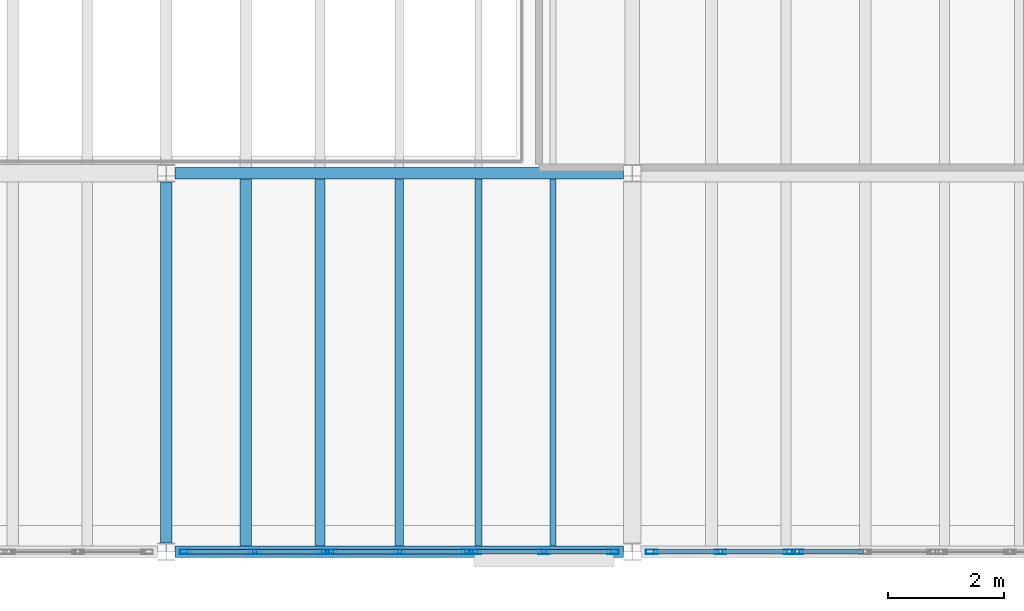
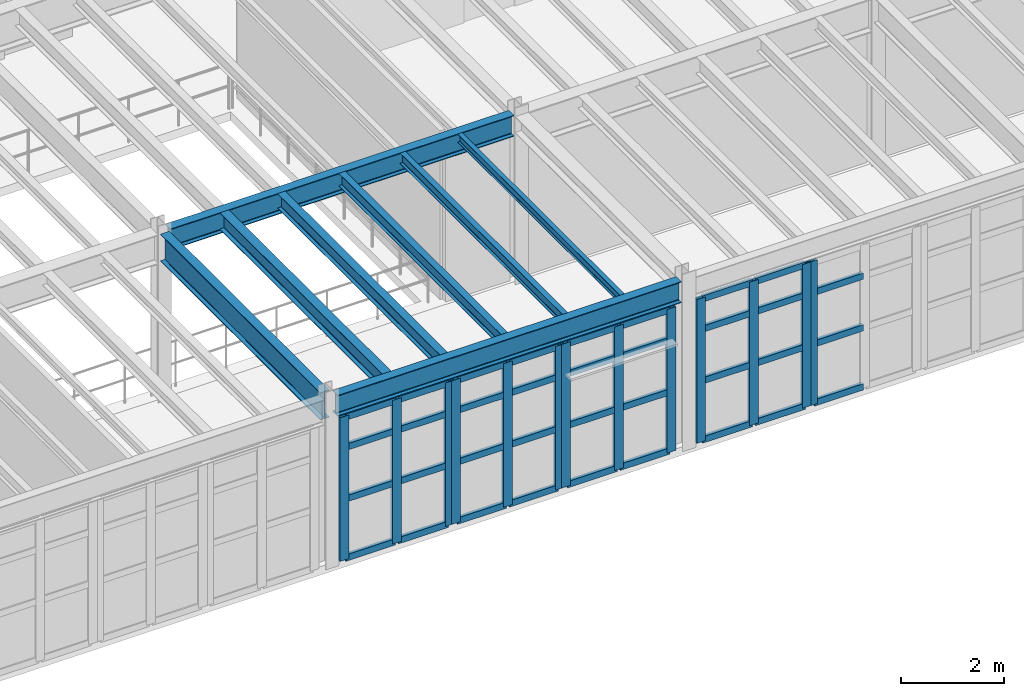
# One storey, part 10 of 78: 48 members, 8 beams, 5 elements without a shape of their own.
"""IFC4 building model written with IfcOpenShell, lengths in metres."""

from ifc_helpers import new_model, si_unit, direction, frame, origin, origin_2d, place, context, subcontext, project, spatial, hollow_rectangle, i_section, extrude, material, material_profile, profile_set, type_object, element, aggregate, save


model = new_model("IFC4")

# Units and contexts
model_context = context("Model", 3, precision=1e-05, world=origin(), true_north=direction((0.0, 1.0)))
body_context = subcontext(model_context, "Body", "Model", "MODEL_VIEW")
ifc_project = project(units=[si_unit("LENGTHUNIT", "METRE"), si_unit("AREAUNIT", "SQUARE_METRE"), si_unit("VOLUMEUNIT", "CUBIC_METRE"), si_unit("PLANEANGLEUNIT", "RADIAN"), si_unit("MASSUNIT", "GRAM", prefix="KILO"), si_unit("THERMODYNAMICTEMPERATUREUNIT", "KELVIN"), si_unit("POWERUNIT", "WATT")], contexts=[model_context])

# Site, building, storey
site_placement = place(None, origin())
site = spatial("IfcSite", under=ifc_project, at=site_placement, CompositionType="ELEMENT")
building_placement = place(site_placement, origin())
building = spatial("IfcBuilding", under=site, at=building_placement, Name="Zhenchuan Central Fire Station", CompositionType="ELEMENT")
storey_placement = place(building_placement, frame((0.0, 0.0, 5.85009765625)))
storey = spatial("IfcBuildingStorey", under=building, at=storey_placement, Name="L02", CompositionType="ELEMENT", Elevation=5.85009765625)

# Beam
ifc_material_1 = material(Name="Steel Q355B", Category="steel")
ifc_material_profile_1 = material_profile(ifc_material_1, i_section(OverallWidth=0.199951171875, OverallDepth=0.64990234375, WebThickness=0.011962890625, FlangeThickness=0.02001953125, FilletRadius=0.02197265625, at=origin_2d()), Name="HN 650x200")
ifc_profile_set_1 = profile_set([ifc_material_profile_1], Name="Steel Q355B")
beam_type_1 = type_object("IfcBeamType", Name="BM-HN650", PredefinedType="BEAM", material=ifc_profile_set_1)
beam_1_placement = place(storey_placement, frame((16.0, 0.14990234375, 3.6748046875), z_axis=(0.0, 1.0, 0.0), x_axis=(-1.0, 0.0, 0.0)))
element("IfcBeam", 1, at=beam_1_placement, inside=storey, type_object=beam_type_1, Name="L03 Girder NS 0287", PredefinedType="BEAM", context=body_context, shape_type="SweptSolid", body=[
    extrude(i_section(OverallWidth=0.199951171875, OverallDepth=0.64990234375, WebThickness=0.011962890625, FlangeThickness=0.02001953125, FilletRadius=0.02197265625, at=origin_2d()), origin(), (0.0, 0.0, 1.0), 6.2001953125),
])

# Curtain wall, members
ifc_material_2 = material(Name="Anodised aluminium and low-E glazing", Category="aluminium")
curtain_wall_type_1 = type_object("IfcCurtainWallType", Name="CW-MOD-02", PredefinedType="USERDEFINED", material=ifc_material_2)
curtain_wall_1_placement = place(storey_placement, origin())
curtain_wall_1 = element("IfcCurtainWall", 2, at=curtain_wall_1_placement, inside=storey, type_object=curtain_wall_type_1, Name="L02 Unitised Curtain Wall 028", ObjectType="UNITISED GLAZING", PredefinedType="USERDEFINED")
ifc_material_3 = material(Name="Anodised aluminium EN AW-6063", Category="aluminium")
ifc_material_profile_2 = material_profile(ifc_material_3, hollow_rectangle(XDim=0.074951171875, YDim=0.199951171875, WallThickness=0.0048828125, at=origin_2d()), Name="ALU-M 200x75")
ifc_profile_set_2 = profile_set([ifc_material_profile_2], Name="Anodised aluminium EN AW-6063")
member_type_1 = type_object("IfcMemberType", Name="CW-MUL160", PredefinedType="MULLION", material=ifc_profile_set_2)
member_1_placement = place(storey_placement, frame((16.33251953125, 0.0, -0.004150390625), z_axis=(0.0, 0.0, 1.0), x_axis=(0.0, 1.0, 0.0)))
member_1 = element("IfcMember", 3, at=member_1_placement, type_object=member_type_1, Name="CW-02 mullion 1", PredefinedType="MULLION", context=body_context, shape_type="SweptSolid", body=[
    extrude(hollow_rectangle(XDim=0.074951171875, YDim=0.199951171875, WallThickness=0.0048828125, at=origin_2d()), origin(), (0.0, 0.0, 1.0), 3.404052734375),
])
member_2_placement = place(storey_placement, frame((17.514404296875, 0.0, -0.004150390625), z_axis=(0.0, 0.0, 1.0), x_axis=(0.0, 1.0, 0.0)))
member_2 = element("IfcMember", 4, at=member_2_placement, type_object=member_type_1, Name="CW-02 mullion 2", PredefinedType="MULLION", context=body_context, shape_type="SweptSolid", body=[
    extrude(hollow_rectangle(XDim=0.074951171875, YDim=0.199951171875, WallThickness=0.0048828125, at=origin_2d()), origin(), (0.0, 0.0, 1.0), 3.404052734375),
])
member_3_placement = place(storey_placement, frame((18.6962890625, 0.0, -0.004150390625), z_axis=(0.0, 0.0, 1.0), x_axis=(0.0, 1.0, 0.0)))
member_3 = element("IfcMember", 5, at=member_3_placement, type_object=member_type_1, Name="CW-02 mullion 3", PredefinedType="MULLION", context=body_context, shape_type="SweptSolid", body=[
    extrude(hollow_rectangle(XDim=0.074951171875, YDim=0.199951171875, WallThickness=0.0048828125, at=origin_2d()), origin(), (0.0, 0.0, 1.0), 3.404052734375),
])

curtain_wall_type_2 = type_object("IfcCurtainWallType", Name="CW-MOD-03", PredefinedType="USERDEFINED", material=ifc_material_2)
curtain_wall_2_placement = place(storey_placement, origin())
curtain_wall_2 = element("IfcCurtainWall", 6, at=curtain_wall_2_placement, inside=storey, type_object=curtain_wall_type_2, Name="L02 Unitised Curtain Wall 029", ObjectType="UNITISED GLAZING", PredefinedType="USERDEFINED")
member_4_placement = place(storey_placement, frame((18.837158203125, 0.0, -0.004150390625), z_axis=(0.0, 0.0, 1.0), x_axis=(0.0, 1.0, 0.0)))
member_4 = element("IfcMember", 7, at=member_4_placement, type_object=member_type_1, Name="CW-03 mullion 1", PredefinedType="MULLION", context=body_context, shape_type="SweptSolid", body=[
    extrude(hollow_rectangle(XDim=0.074951171875, YDim=0.199951171875, WallThickness=0.0048828125, at=origin_2d()), origin(), (0.0, 0.0, 1.0), 3.404052734375),
])
member_5_placement = place(storey_placement, frame((20.0, 0.0, -0.004150390625), z_axis=(0.0, 0.0, 1.0), x_axis=(0.0, 1.0, 0.0)))
member_5 = element("IfcMember", 8, at=member_5_placement, type_object=member_type_1, Name="CW-03 mullion 2", PredefinedType="MULLION", context=body_context, shape_type="SweptSolid", body=[
    extrude(hollow_rectangle(XDim=0.074951171875, YDim=0.199951171875, WallThickness=0.0048828125, at=origin_2d()), origin(), (0.0, 0.0, 1.0), 3.404052734375),
])
member_6_placement = place(storey_placement, frame((21.162841796875, 0.0, -0.004150390625), z_axis=(0.0, 0.0, 1.0), x_axis=(0.0, 1.0, 0.0)))
member_6 = element("IfcMember", 9, at=member_6_placement, type_object=member_type_1, Name="CW-03 mullion 3", PredefinedType="MULLION", context=body_context, shape_type="SweptSolid", body=[
    extrude(hollow_rectangle(XDim=0.074951171875, YDim=0.199951171875, WallThickness=0.0048828125, at=origin_2d()), origin(), (0.0, 0.0, 1.0), 3.404052734375),
])

curtain_wall_type_3 = type_object("IfcCurtainWallType", Name="CW-MOD-04", PredefinedType="USERDEFINED", material=ifc_material_2)
curtain_wall_3_placement = place(storey_placement, origin())
curtain_wall_3 = element("IfcCurtainWall", 10, at=curtain_wall_3_placement, inside=storey, type_object=curtain_wall_type_3, Name="L02 Unitised Curtain Wall 030", ObjectType="UNITISED GLAZING", PredefinedType="USERDEFINED")
member_7_placement = place(storey_placement, frame((21.3037109375, 0.0, -0.004150390625), z_axis=(0.0, 0.0, 1.0), x_axis=(0.0, 1.0, 0.0)))
member_7 = element("IfcMember", 11, at=member_7_placement, type_object=member_type_1, Name="CW-04 mullion 1", PredefinedType="MULLION", context=body_context, shape_type="SweptSolid", body=[
    extrude(hollow_rectangle(XDim=0.074951171875, YDim=0.199951171875, WallThickness=0.0048828125, at=origin_2d()), origin(), (0.0, 0.0, 1.0), 3.404052734375),
])
member_8_placement = place(storey_placement, frame((22.485595703125, 0.0, -0.004150390625), z_axis=(0.0, 0.0, 1.0), x_axis=(0.0, 1.0, 0.0)))
member_8 = element("IfcMember", 12, at=member_8_placement, type_object=member_type_1, Name="CW-04 mullion 2", PredefinedType="MULLION", context=body_context, shape_type="SweptSolid", body=[
    extrude(hollow_rectangle(XDim=0.074951171875, YDim=0.199951171875, WallThickness=0.0048828125, at=origin_2d()), origin(), (0.0, 0.0, 1.0), 3.404052734375),
])
member_9_placement = place(storey_placement, frame((23.66748046875, 0.0, -0.004150390625), z_axis=(0.0, 0.0, 1.0), x_axis=(0.0, 1.0, 0.0)))
member_9 = element("IfcMember", 13, at=member_9_placement, type_object=member_type_1, Name="CW-04 mullion 3", PredefinedType="MULLION", context=body_context, shape_type="SweptSolid", body=[
    extrude(hollow_rectangle(XDim=0.074951171875, YDim=0.199951171875, WallThickness=0.0048828125, at=origin_2d()), origin(), (0.0, 0.0, 1.0), 3.404052734375),
])

curtain_wall_4_placement = place(storey_placement, origin())
curtain_wall_4 = element("IfcCurtainWall", 14, at=curtain_wall_4_placement, inside=storey, type_object=curtain_wall_type_2, Name="L02 Unitised Curtain Wall 031", ObjectType="UNITISED GLAZING", PredefinedType="USERDEFINED")
member_10_placement = place(storey_placement, frame((24.33251953125, 0.0, -0.004150390625), z_axis=(0.0, 0.0, 1.0), x_axis=(0.0, 1.0, 0.0)))
member_10 = element("IfcMember", 15, at=member_10_placement, type_object=member_type_1, Name="CW-03 mullion 1", PredefinedType="MULLION", context=body_context, shape_type="SweptSolid", body=[
    extrude(hollow_rectangle(XDim=0.074951171875, YDim=0.199951171875, WallThickness=0.0048828125, at=origin_2d()), origin(), (0.0, 0.0, 1.0), 3.404052734375),
])
member_11_placement = place(storey_placement, frame((25.514404296875, 0.0, -0.004150390625), z_axis=(0.0, 0.0, 1.0), x_axis=(0.0, 1.0, 0.0)))
member_11 = element("IfcMember", 16, at=member_11_placement, type_object=member_type_1, Name="CW-03 mullion 2", PredefinedType="MULLION", context=body_context, shape_type="SweptSolid", body=[
    extrude(hollow_rectangle(XDim=0.074951171875, YDim=0.199951171875, WallThickness=0.0048828125, at=origin_2d()), origin(), (0.0, 0.0, 1.0), 3.404052734375),
])
member_12_placement = place(storey_placement, frame((26.6962890625, 0.0, -0.004150390625), z_axis=(0.0, 0.0, 1.0), x_axis=(0.0, 1.0, 0.0)))
member_12 = element("IfcMember", 17, at=member_12_placement, type_object=member_type_1, Name="CW-03 mullion 3", PredefinedType="MULLION", context=body_context, shape_type="SweptSolid", body=[
    extrude(hollow_rectangle(XDim=0.074951171875, YDim=0.199951171875, WallThickness=0.0048828125, at=origin_2d()), origin(), (0.0, 0.0, 1.0), 3.404052734375),
])

# Curtain wall, member
curtain_wall_5_placement = place(storey_placement, origin())
curtain_wall_5 = element("IfcCurtainWall", 18, at=curtain_wall_5_placement, inside=storey, type_object=curtain_wall_type_3, Name="L02 Unitised Curtain Wall 032", ObjectType="UNITISED GLAZING", PredefinedType="USERDEFINED")
member_13_placement = place(storey_placement, frame((26.837158203125, 0.0, -0.004150390625), z_axis=(0.0, 0.0, 1.0), x_axis=(0.0, 1.0, 0.0)))
member_13 = element("IfcMember", 19, at=member_13_placement, type_object=member_type_1, Name="CW-04 mullion 1", PredefinedType="MULLION", context=body_context, shape_type="SweptSolid", body=[
    extrude(hollow_rectangle(XDim=0.074951171875, YDim=0.199951171875, WallThickness=0.0048828125, at=origin_2d()), origin(), (0.0, 0.0, 1.0), 3.404052734375),
])

# Member
ifc_material_profile_3 = material_profile(ifc_material_3, hollow_rectangle(XDim=0.074951171875, YDim=0.14990234375, WallThickness=0.0048828125, at=origin_2d()), Name="ALU-T 150x75")
ifc_profile_set_3 = profile_set([ifc_material_profile_3], Name="Anodised aluminium EN AW-6063")
member_type_2 = type_object("IfcMemberType", Name="CW-TRN130", PredefinedType="NOTDEFINED", material=ifc_profile_set_3)
member_14_placement = place(storey_placement, frame((16.364990234375, 0.0, 0.0283203125), z_axis=(1.0, 0.0, 0.0), x_axis=(0.0, 1.0, 0.0)))
member_14 = element("IfcMember", 20, at=member_14_placement, type_object=member_type_2, Name="CW-02 transom 1.1", ObjectType="TRANSOM", PredefinedType="USERDEFINED", context=body_context, shape_type="SweptSolid", body=[
    extrude(hollow_rectangle(XDim=0.074951171875, YDim=0.14990234375, WallThickness=0.0048828125, at=origin_2d()), origin(), (0.0, 0.0, 1.0), 1.116943359375),
])

member_15_placement = place(storey_placement, frame((16.364990234375, 0.0, 1.427978515625), z_axis=(1.0, 0.0, 0.0), x_axis=(0.0, 1.0, 0.0)))
member_15 = element("IfcMember", 21, at=member_15_placement, type_object=member_type_2, Name="CW-02 transom 1.2", ObjectType="TRANSOM", PredefinedType="USERDEFINED", context=body_context, shape_type="SweptSolid", body=[
    extrude(hollow_rectangle(XDim=0.074951171875, YDim=0.14990234375, WallThickness=0.0048828125, at=origin_2d()), origin(), (0.0, 0.0, 1.0), 1.116943359375),
])

member_16_placement = place(storey_placement, frame((16.364990234375, 0.0, 2.65185546875), z_axis=(1.0, 0.0, 0.0), x_axis=(0.0, 1.0, 0.0)))
member_16 = element("IfcMember", 22, at=member_16_placement, type_object=member_type_2, Name="CW-02 transom 1.3", ObjectType="TRANSOM", PredefinedType="USERDEFINED", context=body_context, shape_type="SweptSolid", body=[
    extrude(hollow_rectangle(XDim=0.074951171875, YDim=0.14990234375, WallThickness=0.0048828125, at=origin_2d()), origin(), (0.0, 0.0, 1.0), 1.116943359375),
])

member_17_placement = place(storey_placement, frame((16.364990234375, 0.0, 3.367431640625), z_axis=(1.0, 0.0, 0.0), x_axis=(0.0, 1.0, 0.0)))
member_17 = element("IfcMember", 23, at=member_17_placement, type_object=member_type_2, Name="CW-02 transom 1.4", ObjectType="TRANSOM", PredefinedType="USERDEFINED", context=body_context, shape_type="SweptSolid", body=[
    extrude(hollow_rectangle(XDim=0.074951171875, YDim=0.14990234375, WallThickness=0.0048828125, at=origin_2d()), origin(), (0.0, 0.0, 1.0), 1.116943359375),
])

member_18_placement = place(storey_placement, frame((17.546875, 0.0, 0.0283203125), z_axis=(1.0, 0.0, 0.0), x_axis=(0.0, 1.0, 0.0)))
member_18 = element("IfcMember", 24, at=member_18_placement, type_object=member_type_2, Name="CW-02 transom 2.1", ObjectType="TRANSOM", PredefinedType="USERDEFINED", context=body_context, shape_type="SweptSolid", body=[
    extrude(hollow_rectangle(XDim=0.074951171875, YDim=0.14990234375, WallThickness=0.0048828125, at=origin_2d()), origin(), (0.0, 0.0, 1.0), 1.116943359375),
])

member_19_placement = place(storey_placement, frame((17.546875, 0.0, 1.427978515625), z_axis=(1.0, 0.0, 0.0), x_axis=(0.0, 1.0, 0.0)))
member_19 = element("IfcMember", 25, at=member_19_placement, type_object=member_type_2, Name="CW-02 transom 2.2", ObjectType="TRANSOM", PredefinedType="USERDEFINED", context=body_context, shape_type="SweptSolid", body=[
    extrude(hollow_rectangle(XDim=0.074951171875, YDim=0.14990234375, WallThickness=0.0048828125, at=origin_2d()), origin(), (0.0, 0.0, 1.0), 1.116943359375),
])

member_20_placement = place(storey_placement, frame((17.546875, 0.0, 2.65185546875), z_axis=(1.0, 0.0, 0.0), x_axis=(0.0, 1.0, 0.0)))
member_20 = element("IfcMember", 26, at=member_20_placement, type_object=member_type_2, Name="CW-02 transom 2.3", ObjectType="TRANSOM", PredefinedType="USERDEFINED", context=body_context, shape_type="SweptSolid", body=[
    extrude(hollow_rectangle(XDim=0.074951171875, YDim=0.14990234375, WallThickness=0.0048828125, at=origin_2d()), origin(), (0.0, 0.0, 1.0), 1.116943359375),
])

member_21_placement = place(storey_placement, frame((17.546875, 0.0, 3.367431640625), z_axis=(1.0, 0.0, 0.0), x_axis=(0.0, 1.0, 0.0)))
member_21 = element("IfcMember", 27, at=member_21_placement, type_object=member_type_2, Name="CW-02 transom 2.4", ObjectType="TRANSOM", PredefinedType="USERDEFINED", context=body_context, shape_type="SweptSolid", body=[
    extrude(hollow_rectangle(XDim=0.074951171875, YDim=0.14990234375, WallThickness=0.0048828125, at=origin_2d()), origin(), (0.0, 0.0, 1.0), 1.116943359375),
])

aggregate(curtain_wall_1, [member_1, member_2, member_3, member_14, member_15, member_16, member_17, member_18, member_19, member_20, member_21])

member_22_placement = place(storey_placement, frame((18.86962890625, 0.0, 0.0283203125), z_axis=(1.0, 0.0, 0.0), x_axis=(0.0, 1.0, 0.0)))
member_22 = element("IfcMember", 28, at=member_22_placement, type_object=member_type_2, Name="CW-03 transom 1.1", ObjectType="TRANSOM", PredefinedType="USERDEFINED", context=body_context, shape_type="SweptSolid", body=[
    extrude(hollow_rectangle(XDim=0.074951171875, YDim=0.14990234375, WallThickness=0.0048828125, at=origin_2d()), origin(), (0.0, 0.0, 1.0), 1.097900390625),
])

member_23_placement = place(storey_placement, frame((18.86962890625, 0.0, 1.427978515625), z_axis=(1.0, 0.0, 0.0), x_axis=(0.0, 1.0, 0.0)))
member_23 = element("IfcMember", 29, at=member_23_placement, type_object=member_type_2, Name="CW-03 transom 1.2", ObjectType="TRANSOM", PredefinedType="USERDEFINED", context=body_context, shape_type="SweptSolid", body=[
    extrude(hollow_rectangle(XDim=0.074951171875, YDim=0.14990234375, WallThickness=0.0048828125, at=origin_2d()), origin(), (0.0, 0.0, 1.0), 1.097900390625),
])

member_24_placement = place(storey_placement, frame((18.86962890625, 0.0, 2.65185546875), z_axis=(1.0, 0.0, 0.0), x_axis=(0.0, 1.0, 0.0)))
member_24 = element("IfcMember", 30, at=member_24_placement, type_object=member_type_2, Name="CW-03 transom 1.3", ObjectType="TRANSOM", PredefinedType="USERDEFINED", context=body_context, shape_type="SweptSolid", body=[
    extrude(hollow_rectangle(XDim=0.074951171875, YDim=0.14990234375, WallThickness=0.0048828125, at=origin_2d()), origin(), (0.0, 0.0, 1.0), 1.097900390625),
])

member_25_placement = place(storey_placement, frame((18.86962890625, 0.0, 3.367431640625), z_axis=(1.0, 0.0, 0.0), x_axis=(0.0, 1.0, 0.0)))
member_25 = element("IfcMember", 31, at=member_25_placement, type_object=member_type_2, Name="CW-03 transom 1.4", ObjectType="TRANSOM", PredefinedType="USERDEFINED", context=body_context, shape_type="SweptSolid", body=[
    extrude(hollow_rectangle(XDim=0.074951171875, YDim=0.14990234375, WallThickness=0.0048828125, at=origin_2d()), origin(), (0.0, 0.0, 1.0), 1.097900390625),
])

member_26_placement = place(storey_placement, frame((20.032470703125, 0.0, 0.0283203125), z_axis=(1.0, 0.0, 0.0), x_axis=(0.0, 1.0, 0.0)))
member_26 = element("IfcMember", 32, at=member_26_placement, type_object=member_type_2, Name="CW-03 transom 2.1", ObjectType="TRANSOM", PredefinedType="USERDEFINED", context=body_context, shape_type="SweptSolid", body=[
    extrude(hollow_rectangle(XDim=0.074951171875, YDim=0.14990234375, WallThickness=0.0048828125, at=origin_2d()), origin(), (0.0, 0.0, 1.0), 1.097900390625),
])

member_27_placement = place(storey_placement, frame((20.032470703125, 0.0, 1.427978515625), z_axis=(1.0, 0.0, 0.0), x_axis=(0.0, 1.0, 0.0)))
member_27 = element("IfcMember", 33, at=member_27_placement, type_object=member_type_2, Name="CW-03 transom 2.2", ObjectType="TRANSOM", PredefinedType="USERDEFINED", context=body_context, shape_type="SweptSolid", body=[
    extrude(hollow_rectangle(XDim=0.074951171875, YDim=0.14990234375, WallThickness=0.0048828125, at=origin_2d()), origin(), (0.0, 0.0, 1.0), 1.097900390625),
])

member_28_placement = place(storey_placement, frame((20.032470703125, 0.0, 2.65185546875), z_axis=(1.0, 0.0, 0.0), x_axis=(0.0, 1.0, 0.0)))
member_28 = element("IfcMember", 34, at=member_28_placement, type_object=member_type_2, Name="CW-03 transom 2.3", ObjectType="TRANSOM", PredefinedType="USERDEFINED", context=body_context, shape_type="SweptSolid", body=[
    extrude(hollow_rectangle(XDim=0.074951171875, YDim=0.14990234375, WallThickness=0.0048828125, at=origin_2d()), origin(), (0.0, 0.0, 1.0), 1.097900390625),
])

member_29_placement = place(storey_placement, frame((20.032470703125, 0.0, 3.367431640625), z_axis=(1.0, 0.0, 0.0), x_axis=(0.0, 1.0, 0.0)))
member_29 = element("IfcMember", 35, at=member_29_placement, type_object=member_type_2, Name="CW-03 transom 2.4", ObjectType="TRANSOM", PredefinedType="USERDEFINED", context=body_context, shape_type="SweptSolid", body=[
    extrude(hollow_rectangle(XDim=0.074951171875, YDim=0.14990234375, WallThickness=0.0048828125, at=origin_2d()), origin(), (0.0, 0.0, 1.0), 1.097900390625),
])

aggregate(curtain_wall_2, [member_4, member_5, member_6, member_22, member_23, member_24, member_25, member_26, member_27, member_28, member_29])

member_30_placement = place(storey_placement, frame((21.336181640625, 0.0, 0.0283203125), z_axis=(1.0, 0.0, 0.0), x_axis=(0.0, 1.0, 0.0)))
member_30 = element("IfcMember", 36, at=member_30_placement, type_object=member_type_2, Name="CW-04 transom 1.1", ObjectType="TRANSOM", PredefinedType="USERDEFINED", context=body_context, shape_type="SweptSolid", body=[
    extrude(hollow_rectangle(XDim=0.074951171875, YDim=0.14990234375, WallThickness=0.0048828125, at=origin_2d()), origin(), (0.0, 0.0, 1.0), 1.116943359375),
])

member_31_placement = place(storey_placement, frame((21.336181640625, 0.0, 1.427978515625), z_axis=(1.0, 0.0, 0.0), x_axis=(0.0, 1.0, 0.0)))
member_31 = element("IfcMember", 37, at=member_31_placement, type_object=member_type_2, Name="CW-04 transom 1.2", ObjectType="TRANSOM", PredefinedType="USERDEFINED", context=body_context, shape_type="SweptSolid", body=[
    extrude(hollow_rectangle(XDim=0.074951171875, YDim=0.14990234375, WallThickness=0.0048828125, at=origin_2d()), origin(), (0.0, 0.0, 1.0), 1.116943359375),
])

member_32_placement = place(storey_placement, frame((21.336181640625, 0.0, 2.65185546875), z_axis=(1.0, 0.0, 0.0), x_axis=(0.0, 1.0, 0.0)))
member_32 = element("IfcMember", 38, at=member_32_placement, type_object=member_type_2, Name="CW-04 transom 1.3", ObjectType="TRANSOM", PredefinedType="USERDEFINED", context=body_context, shape_type="SweptSolid", body=[
    extrude(hollow_rectangle(XDim=0.074951171875, YDim=0.14990234375, WallThickness=0.0048828125, at=origin_2d()), origin(), (0.0, 0.0, 1.0), 1.116943359375),
])

member_33_placement = place(storey_placement, frame((21.336181640625, 0.0, 3.367431640625), z_axis=(1.0, 0.0, 0.0), x_axis=(0.0, 1.0, 0.0)))
member_33 = element("IfcMember", 39, at=member_33_placement, type_object=member_type_2, Name="CW-04 transom 1.4", ObjectType="TRANSOM", PredefinedType="USERDEFINED", context=body_context, shape_type="SweptSolid", body=[
    extrude(hollow_rectangle(XDim=0.074951171875, YDim=0.14990234375, WallThickness=0.0048828125, at=origin_2d()), origin(), (0.0, 0.0, 1.0), 1.116943359375),
])

member_34_placement = place(storey_placement, frame((22.51806640625, 0.0, 0.0283203125), z_axis=(1.0, 0.0, 0.0), x_axis=(0.0, 1.0, 0.0)))
member_34 = element("IfcMember", 40, at=member_34_placement, type_object=member_type_2, Name="CW-04 transom 2.1", ObjectType="TRANSOM", PredefinedType="USERDEFINED", context=body_context, shape_type="SweptSolid", body=[
    extrude(hollow_rectangle(XDim=0.074951171875, YDim=0.14990234375, WallThickness=0.0048828125, at=origin_2d()), origin(), (0.0, 0.0, 1.0), 1.116943359375),
])

member_35_placement = place(storey_placement, frame((22.51806640625, 0.0, 1.427978515625), z_axis=(1.0, 0.0, 0.0), x_axis=(0.0, 1.0, 0.0)))
member_35 = element("IfcMember", 41, at=member_35_placement, type_object=member_type_2, Name="CW-04 transom 2.2", ObjectType="TRANSOM", PredefinedType="USERDEFINED", context=body_context, shape_type="SweptSolid", body=[
    extrude(hollow_rectangle(XDim=0.074951171875, YDim=0.14990234375, WallThickness=0.0048828125, at=origin_2d()), origin(), (0.0, 0.0, 1.0), 1.116943359375),
])

member_36_placement = place(storey_placement, frame((22.51806640625, 0.0, 2.65185546875), z_axis=(1.0, 0.0, 0.0), x_axis=(0.0, 1.0, 0.0)))
member_36 = element("IfcMember", 42, at=member_36_placement, type_object=member_type_2, Name="CW-04 transom 2.3", ObjectType="TRANSOM", PredefinedType="USERDEFINED", context=body_context, shape_type="SweptSolid", body=[
    extrude(hollow_rectangle(XDim=0.074951171875, YDim=0.14990234375, WallThickness=0.0048828125, at=origin_2d()), origin(), (0.0, 0.0, 1.0), 1.116943359375),
])

member_37_placement = place(storey_placement, frame((22.51806640625, 0.0, 3.367431640625), z_axis=(1.0, 0.0, 0.0), x_axis=(0.0, 1.0, 0.0)))
member_37 = element("IfcMember", 43, at=member_37_placement, type_object=member_type_2, Name="CW-04 transom 2.4", ObjectType="TRANSOM", PredefinedType="USERDEFINED", context=body_context, shape_type="SweptSolid", body=[
    extrude(hollow_rectangle(XDim=0.074951171875, YDim=0.14990234375, WallThickness=0.0048828125, at=origin_2d()), origin(), (0.0, 0.0, 1.0), 1.116943359375),
])

aggregate(curtain_wall_3, [member_7, member_8, member_9, member_30, member_31, member_32, member_33, member_34, member_35, member_36, member_37])

member_38_placement = place(storey_placement, frame((24.364990234375, 0.0, 0.0283203125), z_axis=(1.0, 0.0, 0.0), x_axis=(0.0, 1.0, 0.0)))
member_38 = element("IfcMember", 44, at=member_38_placement, type_object=member_type_2, Name="CW-03 transom 1.1", ObjectType="TRANSOM", PredefinedType="USERDEFINED", context=body_context, shape_type="SweptSolid", body=[
    extrude(hollow_rectangle(XDim=0.074951171875, YDim=0.14990234375, WallThickness=0.0048828125, at=origin_2d()), origin(), (0.0, 0.0, 1.0), 1.116943359375),
])

member_39_placement = place(storey_placement, frame((24.364990234375, 0.0, 1.427978515625), z_axis=(1.0, 0.0, 0.0), x_axis=(0.0, 1.0, 0.0)))
member_39 = element("IfcMember", 45, at=member_39_placement, type_object=member_type_2, Name="CW-03 transom 1.2", ObjectType="TRANSOM", PredefinedType="USERDEFINED", context=body_context, shape_type="SweptSolid", body=[
    extrude(hollow_rectangle(XDim=0.074951171875, YDim=0.14990234375, WallThickness=0.0048828125, at=origin_2d()), origin(), (0.0, 0.0, 1.0), 1.116943359375),
])

member_40_placement = place(storey_placement, frame((24.364990234375, 0.0, 2.65185546875), z_axis=(1.0, 0.0, 0.0), x_axis=(0.0, 1.0, 0.0)))
member_40 = element("IfcMember", 46, at=member_40_placement, type_object=member_type_2, Name="CW-03 transom 1.3", ObjectType="TRANSOM", PredefinedType="USERDEFINED", context=body_context, shape_type="SweptSolid", body=[
    extrude(hollow_rectangle(XDim=0.074951171875, YDim=0.14990234375, WallThickness=0.0048828125, at=origin_2d()), origin(), (0.0, 0.0, 1.0), 1.116943359375),
])

member_41_placement = place(storey_placement, frame((24.364990234375, 0.0, 3.367431640625), z_axis=(1.0, 0.0, 0.0), x_axis=(0.0, 1.0, 0.0)))
member_41 = element("IfcMember", 47, at=member_41_placement, type_object=member_type_2, Name="CW-03 transom 1.4", ObjectType="TRANSOM", PredefinedType="USERDEFINED", context=body_context, shape_type="SweptSolid", body=[
    extrude(hollow_rectangle(XDim=0.074951171875, YDim=0.14990234375, WallThickness=0.0048828125, at=origin_2d()), origin(), (0.0, 0.0, 1.0), 1.116943359375),
])

member_42_placement = place(storey_placement, frame((25.546875, 0.0, 0.0283203125), z_axis=(1.0, 0.0, 0.0), x_axis=(0.0, 1.0, 0.0)))
member_42 = element("IfcMember", 48, at=member_42_placement, type_object=member_type_2, Name="CW-03 transom 2.1", ObjectType="TRANSOM", PredefinedType="USERDEFINED", context=body_context, shape_type="SweptSolid", body=[
    extrude(hollow_rectangle(XDim=0.074951171875, YDim=0.14990234375, WallThickness=0.0048828125, at=origin_2d()), origin(), (0.0, 0.0, 1.0), 1.116943359375),
])

member_43_placement = place(storey_placement, frame((25.546875, 0.0, 1.427978515625), z_axis=(1.0, 0.0, 0.0), x_axis=(0.0, 1.0, 0.0)))
member_43 = element("IfcMember", 49, at=member_43_placement, type_object=member_type_2, Name="CW-03 transom 2.2", ObjectType="TRANSOM", PredefinedType="USERDEFINED", context=body_context, shape_type="SweptSolid", body=[
    extrude(hollow_rectangle(XDim=0.074951171875, YDim=0.14990234375, WallThickness=0.0048828125, at=origin_2d()), origin(), (0.0, 0.0, 1.0), 1.116943359375),
])

member_44_placement = place(storey_placement, frame((25.546875, 0.0, 2.65185546875), z_axis=(1.0, 0.0, 0.0), x_axis=(0.0, 1.0, 0.0)))
member_44 = element("IfcMember", 50, at=member_44_placement, type_object=member_type_2, Name="CW-03 transom 2.3", ObjectType="TRANSOM", PredefinedType="USERDEFINED", context=body_context, shape_type="SweptSolid", body=[
    extrude(hollow_rectangle(XDim=0.074951171875, YDim=0.14990234375, WallThickness=0.0048828125, at=origin_2d()), origin(), (0.0, 0.0, 1.0), 1.116943359375),
])

member_45_placement = place(storey_placement, frame((25.546875, 0.0, 3.367431640625), z_axis=(1.0, 0.0, 0.0), x_axis=(0.0, 1.0, 0.0)))
member_45 = element("IfcMember", 51, at=member_45_placement, type_object=member_type_2, Name="CW-03 transom 2.4", ObjectType="TRANSOM", PredefinedType="USERDEFINED", context=body_context, shape_type="SweptSolid", body=[
    extrude(hollow_rectangle(XDim=0.074951171875, YDim=0.14990234375, WallThickness=0.0048828125, at=origin_2d()), origin(), (0.0, 0.0, 1.0), 1.116943359375),
])

aggregate(curtain_wall_4, [member_10, member_11, member_12, member_38, member_39, member_40, member_41, member_42, member_43, member_44, member_45])

member_46_placement = place(storey_placement, frame((26.86962890625, 0.0, 0.0283203125), z_axis=(1.0, 0.0, 0.0), x_axis=(0.0, 1.0, 0.0)))
member_46 = element("IfcMember", 52, at=member_46_placement, type_object=member_type_2, Name="CW-04 transom 1.1", ObjectType="TRANSOM", PredefinedType="USERDEFINED", context=body_context, shape_type="SweptSolid", body=[
    extrude(hollow_rectangle(XDim=0.074951171875, YDim=0.14990234375, WallThickness=0.0048828125, at=origin_2d()), origin(), (0.0, 0.0, 1.0), 1.097900390625),
])

member_47_placement = place(storey_placement, frame((26.86962890625, 0.0, 1.427978515625), z_axis=(1.0, 0.0, 0.0), x_axis=(0.0, 1.0, 0.0)))
member_47 = element("IfcMember", 53, at=member_47_placement, type_object=member_type_2, Name="CW-04 transom 1.2", ObjectType="TRANSOM", PredefinedType="USERDEFINED", context=body_context, shape_type="SweptSolid", body=[
    extrude(hollow_rectangle(XDim=0.074951171875, YDim=0.14990234375, WallThickness=0.0048828125, at=origin_2d()), origin(), (0.0, 0.0, 1.0), 1.097900390625),
])

member_48_placement = place(storey_placement, frame((26.86962890625, 0.0, 2.65185546875), z_axis=(1.0, 0.0, 0.0), x_axis=(0.0, 1.0, 0.0)))
member_48 = element("IfcMember", 54, at=member_48_placement, type_object=member_type_2, Name="CW-04 transom 1.3", ObjectType="TRANSOM", PredefinedType="USERDEFINED", context=body_context, shape_type="SweptSolid", body=[
    extrude(hollow_rectangle(XDim=0.074951171875, YDim=0.14990234375, WallThickness=0.0048828125, at=origin_2d()), origin(), (0.0, 0.0, 1.0), 1.097900390625),
])

aggregate(curtain_wall_5, [member_13, member_46, member_47, member_48])

# Beams
ifc_material_profile_4 = material_profile(ifc_material_1, i_section(OverallWidth=0.10009765625, OverallDepth=0.199951171875, WebThickness=0.005615234375, FlangeThickness=0.008056640625, FilletRadius=0.010986328125, at=origin_2d()), Name="HN 200x100")
ifc_profile_set_4 = profile_set([ifc_material_profile_4], Name="Steel Q355B")
beam_type_2 = type_object("IfcBeamType", Name="JS-HN200", PredefinedType="JOIST", material=ifc_profile_set_4)
beam_2_placement = place(storey_placement, frame((22.639892578125, 0.096923828125, 3.89990234375), z_axis=(0.0, 1.0, 0.0), x_axis=(-1.0, 0.0, 0.0)))
element("IfcBeam", 55, at=beam_2_placement, inside=storey, type_object=beam_type_2, Name="L03 Secondary Joist 0306", PredefinedType="JOIST", context=body_context, shape_type="SweptSolid", body=[
    extrude(i_section(OverallWidth=0.10009765625, OverallDepth=0.199951171875, WebThickness=0.005615234375, FlangeThickness=0.008056640625, FilletRadius=0.010986328125, at=origin_2d()), origin(), (0.0, 0.0, 1.0), 6.30615234375),
])
ifc_material_profile_5 = material_profile(ifc_material_1, i_section(OverallWidth=0.125, OverallDepth=0.25, WebThickness=0.006103515625, FlangeThickness=0.009033203125, FilletRadius=0.011962890625, at=origin_2d()), Name="HN 250x125")
ifc_profile_set_5 = profile_set([ifc_material_profile_5], Name="Steel Q355B")
beam_type_3 = type_object("IfcBeamType", Name="JS-HN250", PredefinedType="JOIST", material=ifc_profile_set_5)
beam_3_placement = place(storey_placement, frame((21.360107421875, 0.096923828125, 3.875), z_axis=(0.0, 1.0, 0.0), x_axis=(-1.0, 0.0, 0.0)))
element("IfcBeam", 56, at=beam_3_placement, inside=storey, type_object=beam_type_3, Name="L03 Secondary Joist 0305", PredefinedType="JOIST", context=body_context, shape_type="SweptSolid", body=[
    extrude(i_section(OverallWidth=0.125, OverallDepth=0.25, WebThickness=0.006103515625, FlangeThickness=0.009033203125, FilletRadius=0.011962890625, at=origin_2d()), origin(), (0.0, 0.0, 1.0), 6.30615234375),
])
ifc_material_profile_6 = material_profile(ifc_material_1, i_section(OverallWidth=0.14990234375, OverallDepth=0.300048828125, WebThickness=0.006591796875, FlangeThickness=0.009033203125, FilletRadius=0.012939453125, at=origin_2d()), Name="HN 300x150")
ifc_profile_set_6 = profile_set([ifc_material_profile_6], Name="Steel Q355B")
beam_type_4 = type_object("IfcBeamType", Name="JS-HN300", PredefinedType="JOIST", material=ifc_profile_set_6)
beam_4_placement = place(storey_placement, frame((20.0, 0.096923828125, 3.849853515625), z_axis=(0.0, 1.0, 0.0), x_axis=(-1.0, 0.0, 0.0)))
element("IfcBeam", 57, at=beam_4_placement, inside=storey, type_object=beam_type_4, Name="L03 Secondary Joist 0304", PredefinedType="JOIST", context=body_context, shape_type="SweptSolid", body=[
    extrude(i_section(OverallWidth=0.14990234375, OverallDepth=0.300048828125, WebThickness=0.006591796875, FlangeThickness=0.009033203125, FilletRadius=0.012939453125, at=origin_2d()), origin(), (0.0, 0.0, 1.0), 6.30615234375),
])
ifc_material_profile_7 = material_profile(ifc_material_1, i_section(OverallWidth=0.175048828125, OverallDepth=0.35009765625, WebThickness=0.007080078125, FlangeThickness=0.010986328125, FilletRadius=0.013916015625, at=origin_2d()), Name="HN 350x175")
ifc_profile_set_7 = profile_set([ifc_material_profile_7], Name="Steel Q355B")
beam_type_5 = type_object("IfcBeamType", Name="JS-HN350", PredefinedType="JOIST", material=ifc_profile_set_7)
beam_5_placement = place(storey_placement, frame((18.639892578125, 0.096923828125, 3.824951171875), z_axis=(0.0, 1.0, 0.0), x_axis=(-1.0, 0.0, 0.0)))
element("IfcBeam", 58, at=beam_5_placement, inside=storey, type_object=beam_type_5, Name="L03 Secondary Joist 0303", PredefinedType="JOIST", context=body_context, shape_type="SweptSolid", body=[
    extrude(i_section(OverallWidth=0.175048828125, OverallDepth=0.35009765625, WebThickness=0.007080078125, FlangeThickness=0.010986328125, FilletRadius=0.013916015625, at=origin_2d()), origin(), (0.0, 0.0, 1.0), 6.30615234375),
])
ifc_material_profile_8 = material_profile(ifc_material_1, i_section(OverallWidth=0.199951171875, OverallDepth=0.39990234375, WebThickness=0.008056640625, FlangeThickness=0.012939453125, FilletRadius=0.01611328125, at=origin_2d()), Name="HN 400x200")
ifc_profile_set_8 = profile_set([ifc_material_profile_8], Name="Steel Q355B")
beam_type_6 = type_object("IfcBeamType", Name="JS-HN400", PredefinedType="JOIST", material=ifc_profile_set_8)
beam_6_placement = place(storey_placement, frame((17.360107421875, 0.096923828125, 3.7998046875), z_axis=(0.0, 1.0, 0.0), x_axis=(-1.0, 0.0, 0.0)))
element("IfcBeam", 59, at=beam_6_placement, inside=storey, type_object=beam_type_6, Name="L03 Secondary Joist 0302", PredefinedType="JOIST", context=body_context, shape_type="SweptSolid", body=[
    extrude(i_section(OverallWidth=0.199951171875, OverallDepth=0.39990234375, WebThickness=0.008056640625, FlangeThickness=0.012939453125, FilletRadius=0.01611328125, at=origin_2d()), origin(), (0.0, 0.0, 1.0), 6.30615234375),
])
ifc_material_profile_9 = material_profile(ifc_material_1, i_section(OverallWidth=0.199951171875, OverallDepth=0.5, WebThickness=0.010009765625, FlangeThickness=0.01611328125, FilletRadius=0.02001953125, at=origin_2d()), Name="HN 500x200")
ifc_profile_set_9 = profile_set([ifc_material_profile_9], Name="Steel Q355B")
beam_type_7 = type_object("IfcBeamType", Name="SP-HN500", PredefinedType="SPANDREL", material=ifc_profile_set_9)
beam_7_placement = place(storey_placement, frame((16.14990234375, 0.0, 3.75), z_axis=(1.0, 0.0, 0.0), x_axis=(0.0, 1.0, 0.0)))
element("IfcBeam", 60, at=beam_7_placement, inside=storey, type_object=beam_type_7, Name="L03 Girder EW 0185", PredefinedType="SPANDREL", context=body_context, shape_type="SweptSolid", body=[
    extrude(i_section(OverallWidth=0.199951171875, OverallDepth=0.5, WebThickness=0.010009765625, FlangeThickness=0.01611328125, FilletRadius=0.02001953125, at=origin_2d()), origin(), (0.0, 0.0, 1.0), 7.7001953125),
])
ifc_material_profile_10 = material_profile(ifc_material_1, i_section(OverallWidth=0.199951171875, OverallDepth=0.5, WebThickness=0.010009765625, FlangeThickness=0.01611328125, FilletRadius=0.02001953125, at=origin_2d()), Name="HN 500x200")
ifc_profile_set_10 = profile_set([ifc_material_profile_10], Name="Steel Q355B")
beam_type_8 = type_object("IfcBeamType", Name="SP-HN500-INT", PredefinedType="SPANDREL", material=ifc_profile_set_10)
beam_8_placement = place(storey_placement, frame((16.14990234375, 6.5, 3.75), z_axis=(1.0, 0.0, 0.0), x_axis=(0.0, 1.0, 0.0)))
element("IfcBeam", 61, at=beam_8_placement, inside=storey, type_object=beam_type_8, Name="L03 Girder EW 0193", PredefinedType="SPANDREL", context=body_context, shape_type="SweptSolid", body=[
    extrude(i_section(OverallWidth=0.199951171875, OverallDepth=0.5, WebThickness=0.010009765625, FlangeThickness=0.01611328125, FilletRadius=0.02001953125, at=origin_2d()), origin(), (0.0, 0.0, 1.0), 7.7001953125),
])

save(model, "model.ifc")
